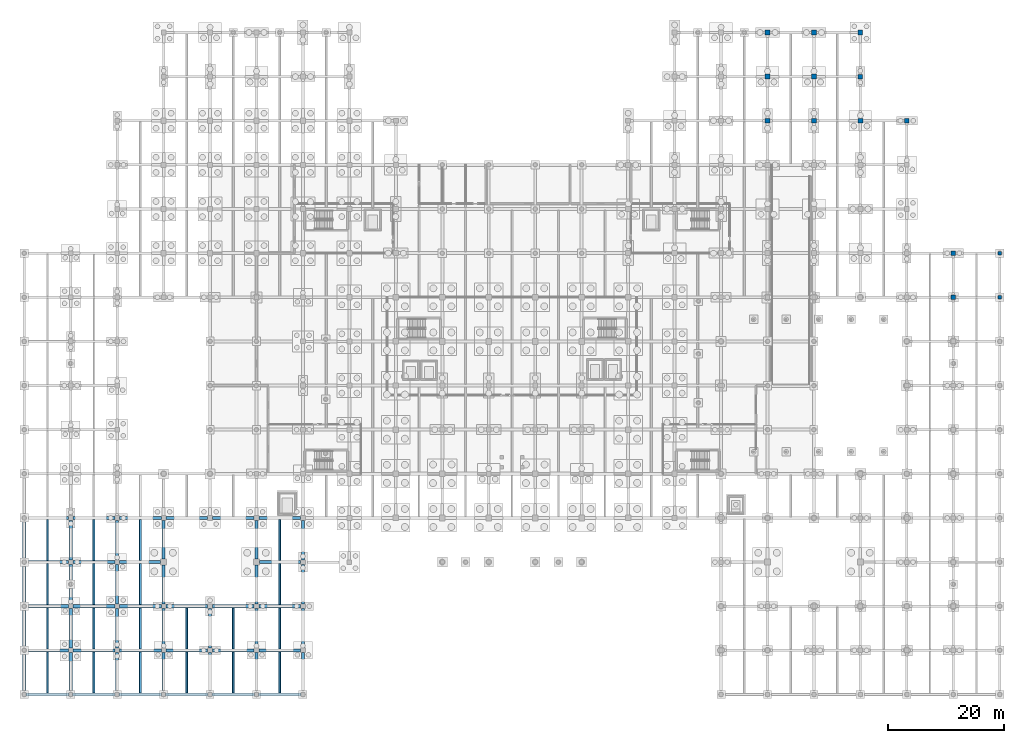
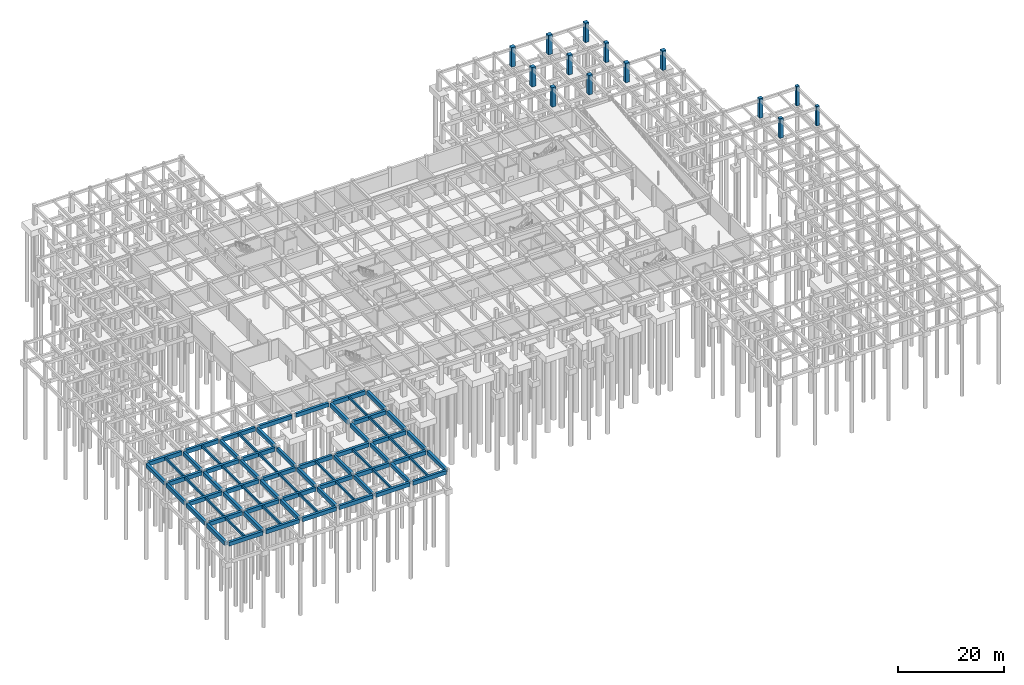
# One storey, part 26 of 49: 74 beams, 14 columns.
"""IFC4 building model written with IfcOpenShell, lengths in metres."""

from ifc_helpers import new_model, si_unit, direction, frame, origin, origin_2d, place, context, subcontext, project, spatial, rectangle, extrude, material, material_profile, profile_set, type_object, element, save


model = new_model("IFC4")

# Units and contexts
model_context = context("Model", 3, precision=1e-05, world=origin(), true_north=direction((0.0, 1.0)))
body_context = subcontext(model_context, "Body", "Model", "MODEL_VIEW")
ifc_project = project(units=[si_unit("LENGTHUNIT", "METRE"), si_unit("AREAUNIT", "SQUARE_METRE"), si_unit("VOLUMEUNIT", "CUBIC_METRE"), si_unit("PLANEANGLEUNIT", "RADIAN"), si_unit("MASSUNIT", "GRAM", prefix="KILO")], contexts=[model_context])

# Site, building, storey
site_placement = place(None, origin())
site = spatial("IfcSite", under=ifc_project, at=site_placement, CompositionType="ELEMENT")
building_placement = place(site_placement, origin())
building = spatial("IfcBuilding", under=site, at=building_placement, Name="Zantavel Square City Hall", CompositionType="ELEMENT")
storey_placement = place(building_placement, frame((0.0, 0.0, -4.5)))
storey = spatial("IfcBuildingStorey", under=building, at=storey_placement, Name="B1", CompositionType="ELEMENT", Elevation=-4.5)

# Columns
ifc_material = material(Name="Concrete C40/50", Category="concrete")
ifc_material_profile_1 = material_profile(ifc_material, rectangle(XDim=0.64990234375, YDim=0.64990234375, at=origin_2d()), Name="RC 650x650")
ifc_profile_set_1 = profile_set([ifc_material_profile_1], Name="Concrete C40/50")
column_type_1 = type_object("IfcColumnType", Name="Column RC 650x650 C40/50", PredefinedType="COLUMN", material=ifc_profile_set_1)
for number, where, z_axis, x_axis, name in (
    (1, (168.0, 68.39990234375, 0.0), (0.0, 0.0, 1.0), (1.0, 0.0, 0.0), "B1 Column COL-B1-1680-0684"),
    (2, (168.0, 76.0, 0.0), (0.0, 0.0, 1.0), (1.0, 0.0, 0.0), "B1 Column COL-B1-1680-0760"),
):
    element("IfcColumn", number, at=place(storey_placement, frame(where, z_axis=z_axis, x_axis=x_axis)), inside=storey, type_object=column_type_1, Name=name, PredefinedType="COLUMN", context=body_context, shape_type="SweptSolid", body=[
        extrude(rectangle(XDim=0.64990234375, YDim=0.64990234375, at=origin_2d()), origin(), (0.0, 0.0, 1.0), 4.5),
    ])
ifc_material_profile_2 = material_profile(ifc_material, rectangle(XDim=0.75, YDim=0.75, at=origin_2d()), Name="RC 750x750")
ifc_profile_set_2 = profile_set([ifc_material_profile_2], Name="Concrete C40/50")
column_type_2 = type_object("IfcColumnType", Name="Column RC 750x750 C40/50", PredefinedType="COLUMN", material=ifc_profile_set_2)
for number, where, z_axis, x_axis, name in (
    (3, (160.0, 68.39990234375, 0.0), (0.0, 0.0, 1.0), (1.0, 0.0, 0.0), "B1 Column COL-B1-1600-0684"),
    (4, (160.0, 76.0, 0.0), (0.0, 0.0, 1.0), (1.0, 0.0, 0.0), "B1 Column COL-B1-1600-0760"),
):
    element("IfcColumn", number, at=place(storey_placement, frame(where, z_axis=z_axis, x_axis=x_axis)), inside=storey, type_object=column_type_2, Name=name, PredefinedType="COLUMN", context=body_context, shape_type="SweptSolid", body=[
        extrude(rectangle(XDim=0.75, YDim=0.75, at=origin_2d()), origin(), (0.0, 0.0, 1.0), 4.5),
    ])
ifc_material_profile_3 = material_profile(ifc_material, rectangle(XDim=0.800048828125, YDim=0.800048828125, at=origin_2d()), Name="RC 800x800")
ifc_profile_set_3 = profile_set([ifc_material_profile_3], Name="Concrete C40/50")
column_type_3 = type_object("IfcColumnType", Name="Column RC 800x800 C40/50", PredefinedType="COLUMN", material=ifc_profile_set_3)
for number, where, z_axis, x_axis, name in (
    (5, (144.0, 106.39990234375, 0.0), (0.0, 0.0, 1.0), (1.0, 0.0, 0.0), "B1 Column COL-B1-1440-1064"),
    (6, (144.0, 114.0, 0.0), (0.0, 0.0, 1.0), (1.0, 0.0, 0.0), "B1 Column COL-B1-1440-1140"),
    (7, (152.0, 98.800048828125, 0.0), (0.0, 0.0, 1.0), (1.0, 0.0, 0.0), "B1 Column COL-B1-1520-0988"),
):
    element("IfcColumn", number, at=place(storey_placement, frame(where, z_axis=z_axis, x_axis=x_axis)), inside=storey, type_object=column_type_3, Name=name, PredefinedType="COLUMN", context=body_context, shape_type="SweptSolid", body=[
        extrude(rectangle(XDim=0.800048828125, YDim=0.800048828125, at=origin_2d()), origin(), (0.0, 0.0, 1.0), 4.5),
    ])
ifc_material_profile_4 = material_profile(ifc_material, rectangle(XDim=0.85009765625, YDim=0.85009765625, at=origin_2d()), Name="RC 850x850")
ifc_profile_set_4 = profile_set([ifc_material_profile_4], Name="Concrete C40/50")
column_type_4 = type_object("IfcColumnType", Name="Column RC 850x850 C40/50", PredefinedType="COLUMN", material=ifc_profile_set_4)
for number, where, z_axis, x_axis, name in (
    (8, (128.0, 98.800048828125, 0.0), (0.0, 0.0, 1.0), (1.0, 0.0, 0.0), "B1 Column COL-B1-1280-0988"),
    (9, (128.0, 106.39990234375, 0.0), (0.0, 0.0, 1.0), (1.0, 0.0, 0.0), "B1 Column COL-B1-1280-1064"),
    (10, (128.0, 114.0, 0.0), (0.0, 0.0, 1.0), (1.0, 0.0, 0.0), "B1 Column COL-B1-1280-1140"),
    (11, (136.0, 98.800048828125, 0.0), (0.0, 0.0, 1.0), (1.0, 0.0, 0.0), "B1 Column COL-B1-1360-0988"),
    (12, (136.0, 106.39990234375, 0.0), (0.0, 0.0, 1.0), (1.0, 0.0, 0.0), "B1 Column COL-B1-1360-1064"),
    (13, (136.0, 114.0, 0.0), (0.0, 0.0, 1.0), (1.0, 0.0, 0.0), "B1 Column COL-B1-1360-1140"),
    (14, (144.0, 98.800048828125, 0.0), (0.0, 0.0, 1.0), (1.0, 0.0, 0.0), "B1 Column COL-B1-1440-0988"),
):
    element("IfcColumn", number, at=place(storey_placement, frame(where, z_axis=z_axis, x_axis=x_axis)), inside=storey, type_object=column_type_4, Name=name, PredefinedType="COLUMN", context=body_context, shape_type="SweptSolid", body=[
        extrude(rectangle(XDim=0.85009765625, YDim=0.85009765625, at=origin_2d()), origin(), (0.0, 0.0, 1.0), 4.5),
    ])

# Beams
ifc_material_profile_5 = material_profile(ifc_material, rectangle(XDim=0.320068359375, YDim=0.52001953125, at=origin_2d()), Name="RC 320x520")
ifc_profile_set_5 = profile_set([ifc_material_profile_5], Name="Concrete C40/50")
beam_type_1 = type_object("IfcBeamType", Name="Archive Floor Joist RC 320x520 C40/50", PredefinedType="JOIST", material=ifc_profile_set_5)
for number, where, z_axis, x_axis, name in (
    (15, (4.0, 0.27490234375, 3.989990234375), (0.0, 1.0, 0.0), (-1.0, 0.0, 0.0), "B1 Floor Joist JST-B1-0040-0000"),
    (16, (4.0, 7.875, 3.989990234375), (0.0, 1.0, 0.0), (-1.0, 0.0, 0.0), "B1 Floor Joist JST-B1-0040-0076"),
):
    element("IfcBeam", number, at=place(storey_placement, frame(where, z_axis=z_axis, x_axis=x_axis)), inside=storey, type_object=beam_type_1, Name=name, PredefinedType="JOIST", context=body_context, shape_type="SweptSolid", body=[
        extrude(rectangle(XDim=0.320068359375, YDim=0.52001953125, at=origin_2d()), origin(), (0.0, 0.0, 1.0), 7.050048828125),
    ])
beam_1_placement = place(storey_placement, frame((4.0, 15.47509765625, 3.989990234375), z_axis=(0.0, 1.0, 0.0), x_axis=(-1.0, 0.0, 0.0)))
element("IfcBeam", 17, at=beam_1_placement, inside=storey, type_object=beam_type_1, Name="B1 Floor Joist JST-B1-0040-0152", PredefinedType="JOIST", context=body_context, shape_type="SweptSolid", body=[
    extrude(rectangle(XDim=0.320068359375, YDim=0.52001953125, at=origin_2d()), origin(), (0.0, 0.0, 1.0), 7.0498046875),
])
for number, where, z_axis, x_axis, name in (
    (18, (4.0, 23.074951171875, 3.989990234375), (0.0, 1.0, 0.0), (-1.0, 0.0, 0.0), "B1 Floor Joist JST-B1-0040-0228"),
    (19, (12.0, 0.27490234375, 3.919921875), (0.0, 1.0, 0.0), (-1.0, 0.0, 0.0), "B1 Floor Joist JST-B1-0120-0000"),
    (20, (12.0, 7.875, 3.919921875), (0.0, 1.0, 0.0), (-1.0, 0.0, 0.0), "B1 Floor Joist JST-B1-0120-0076"),
):
    element("IfcBeam", number, at=place(storey_placement, frame(where, z_axis=z_axis, x_axis=x_axis)), inside=storey, type_object=beam_type_1, Name=name, PredefinedType="JOIST", context=body_context, shape_type="SweptSolid", body=[
        extrude(rectangle(XDim=0.320068359375, YDim=0.52001953125, at=origin_2d()), origin(), (0.0, 0.0, 1.0), 7.050048828125),
    ])
beam_2_placement = place(storey_placement, frame((12.0, 15.47509765625, 3.919921875), z_axis=(0.0, 1.0, 0.0), x_axis=(-1.0, 0.0, 0.0)))
element("IfcBeam", 21, at=beam_2_placement, inside=storey, type_object=beam_type_1, Name="B1 Floor Joist JST-B1-0120-0152", PredefinedType="JOIST", context=body_context, shape_type="SweptSolid", body=[
    extrude(rectangle(XDim=0.320068359375, YDim=0.52001953125, at=origin_2d()), origin(), (0.0, 0.0, 1.0), 7.0498046875),
])
for number, where, z_axis, x_axis, name in (
    (22, (12.0, 23.074951171875, 3.919921875), (0.0, 1.0, 0.0), (-1.0, 0.0, 0.0), "B1 Floor Joist JST-B1-0120-0228"),
    (23, (20.0, 0.27490234375, 3.919921875), (0.0, 1.0, 0.0), (-1.0, 0.0, 0.0), "B1 Floor Joist JST-B1-0200-0000"),
    (24, (20.0, 7.875, 3.919921875), (0.0, 1.0, 0.0), (-1.0, 0.0, 0.0), "B1 Floor Joist JST-B1-0200-0076"),
):
    element("IfcBeam", number, at=place(storey_placement, frame(where, z_axis=z_axis, x_axis=x_axis)), inside=storey, type_object=beam_type_1, Name=name, PredefinedType="JOIST", context=body_context, shape_type="SweptSolid", body=[
        extrude(rectangle(XDim=0.320068359375, YDim=0.52001953125, at=origin_2d()), origin(), (0.0, 0.0, 1.0), 7.050048828125),
    ])
beam_3_placement = place(storey_placement, frame((20.0, 15.47509765625, 3.919921875), z_axis=(0.0, 1.0, 0.0), x_axis=(-1.0, 0.0, 0.0)))
element("IfcBeam", 25, at=beam_3_placement, inside=storey, type_object=beam_type_1, Name="B1 Floor Joist JST-B1-0200-0152", PredefinedType="JOIST", context=body_context, shape_type="SweptSolid", body=[
    extrude(rectangle(XDim=0.320068359375, YDim=0.52001953125, at=origin_2d()), origin(), (0.0, 0.0, 1.0), 7.0498046875),
])
for number, where, z_axis, x_axis, name in (
    (26, (20.0, 23.074951171875, 3.919921875), (0.0, 1.0, 0.0), (-1.0, 0.0, 0.0), "B1 Floor Joist JST-B1-0200-0228"),
    (27, (28.0, 0.27490234375, 3.919921875), (0.0, 1.0, 0.0), (-1.0, 0.0, 0.0), "B1 Floor Joist JST-B1-0280-0000"),
    (28, (28.0, 7.875, 3.919921875), (0.0, 1.0, 0.0), (-1.0, 0.0, 0.0), "B1 Floor Joist JST-B1-0280-0076"),
    (29, (36.0, 0.27490234375, 3.919921875), (0.0, 1.0, 0.0), (-1.0, 0.0, 0.0), "B1 Floor Joist JST-B1-0360-0000"),
    (30, (36.0, 7.875, 3.919921875), (0.0, 1.0, 0.0), (-1.0, 0.0, 0.0), "B1 Floor Joist JST-B1-0360-0076"),
    (31, (44.0, 0.27490234375, 3.919921875), (0.0, 1.0, 0.0), (-1.0, 0.0, 0.0), "B1 Floor Joist JST-B1-0440-0000"),
    (32, (44.0, 7.875, 3.919921875), (0.0, 1.0, 0.0), (-1.0, 0.0, 0.0), "B1 Floor Joist JST-B1-0440-0076"),
):
    element("IfcBeam", number, at=place(storey_placement, frame(where, z_axis=z_axis, x_axis=x_axis)), inside=storey, type_object=beam_type_1, Name=name, PredefinedType="JOIST", context=body_context, shape_type="SweptSolid", body=[
        extrude(rectangle(XDim=0.320068359375, YDim=0.52001953125, at=origin_2d()), origin(), (0.0, 0.0, 1.0), 7.050048828125),
    ])
beam_4_placement = place(storey_placement, frame((44.0, 15.47509765625, 3.919921875), z_axis=(0.0, 1.0, 0.0), x_axis=(-1.0, 0.0, 0.0)))
element("IfcBeam", 33, at=beam_4_placement, inside=storey, type_object=beam_type_1, Name="B1 Floor Joist JST-B1-0440-0152", PredefinedType="JOIST", context=body_context, shape_type="SweptSolid", body=[
    extrude(rectangle(XDim=0.320068359375, YDim=0.52001953125, at=origin_2d()), origin(), (0.0, 0.0, 1.0), 7.0498046875),
])
beam_5_placement = place(storey_placement, frame((44.0, 23.074951171875, 3.919921875), z_axis=(0.0, 1.0, 0.0), x_axis=(-1.0, 0.0, 0.0)))
element("IfcBeam", 34, at=beam_5_placement, inside=storey, type_object=beam_type_1, Name="B1 Floor Joist JST-B1-0440-0228", PredefinedType="JOIST", context=body_context, shape_type="SweptSolid", body=[
    extrude(rectangle(XDim=0.320068359375, YDim=0.52001953125, at=origin_2d()), origin(), (0.0, 0.0, 1.0), 7.050048828125),
])
ifc_material_profile_6 = material_profile(ifc_material, rectangle(XDim=0.550048828125, YDim=0.89990234375, at=origin_2d()), Name="RC 550x900")
ifc_profile_set_6 = profile_set([ifc_material_profile_6], Name="Concrete C40/50")
beam_type_2 = type_object("IfcBeamType", Name="Archive Heavy Girder RC 550x900 C40/50", PredefinedType="BEAM", material=ifc_profile_set_6)
beam_6_placement = place(storey_placement, frame((0.324951171875, 0.0, 3.800048828125), z_axis=(1.0, 0.0, 0.0), x_axis=(0.0, 1.0, 0.0)))
element("IfcBeam", 35, at=beam_6_placement, inside=storey, type_object=beam_type_2, Name="B1 Girder BMX-B1-0000-0000", PredefinedType="BEAM", context=body_context, shape_type="SweptSolid", body=[
    extrude(rectangle(XDim=0.550048828125, YDim=0.89990234375, at=origin_2d()), origin(), (0.0, 0.0, 1.0), 7.35009765625),
])
beam_7_placement = place(storey_placement, frame((0.0, 0.324951171875, 3.800048828125), z_axis=(0.0, 1.0, 0.0), x_axis=(-1.0, 0.0, 0.0)))
element("IfcBeam", 36, at=beam_7_placement, inside=storey, type_object=beam_type_2, Name="B1 Beam BMY-B1-0000-0000", PredefinedType="BEAM", context=body_context, shape_type="SweptSolid", body=[
    extrude(rectangle(XDim=0.550048828125, YDim=0.89990234375, at=origin_2d()), origin(), (0.0, 0.0, 1.0), 6.949951171875),
])
beam_8_placement = place(storey_placement, frame((0.324951171875, 7.60009765625, 3.800048828125), z_axis=(1.0, 0.0, 0.0), x_axis=(0.0, 1.0, 0.0)))
element("IfcBeam", 37, at=beam_8_placement, inside=storey, type_object=beam_type_2, Name="B1 Girder BMX-B1-0000-0076", PredefinedType="BEAM", context=body_context, shape_type="SweptSolid", body=[
    extrude(rectangle(XDim=0.550048828125, YDim=0.89990234375, at=origin_2d()), origin(), (0.0, 0.0, 1.0), 7.275146484375),
])
beam_9_placement = place(storey_placement, frame((0.0, 7.925048828125, 3.800048828125), z_axis=(0.0, 1.0, 0.0), x_axis=(-1.0, 0.0, 0.0)))
element("IfcBeam", 38, at=beam_9_placement, inside=storey, type_object=beam_type_2, Name="B1 Beam BMY-B1-0000-0076", PredefinedType="BEAM", context=body_context, shape_type="SweptSolid", body=[
    extrude(rectangle(XDim=0.550048828125, YDim=0.89990234375, at=origin_2d()), origin(), (0.0, 0.0, 1.0), 6.949951171875),
])
beam_10_placement = place(storey_placement, frame((0.324951171875, 15.199951171875, 3.800048828125), z_axis=(1.0, 0.0, 0.0), x_axis=(0.0, 1.0, 0.0)))
element("IfcBeam", 39, at=beam_10_placement, inside=storey, type_object=beam_type_2, Name="B1 Girder BMX-B1-0000-0152", PredefinedType="BEAM", context=body_context, shape_type="SweptSolid", body=[
    extrude(rectangle(XDim=0.550048828125, YDim=0.89990234375, at=origin_2d()), origin(), (0.0, 0.0, 1.0), 7.275146484375),
])
beam_11_placement = place(storey_placement, frame((0.0, 15.52490234375, 3.800048828125), z_axis=(0.0, 1.0, 0.0), x_axis=(-1.0, 0.0, 0.0)))
element("IfcBeam", 40, at=beam_11_placement, inside=storey, type_object=beam_type_2, Name="B1 Beam BMY-B1-0000-0152", PredefinedType="BEAM", context=body_context, shape_type="SweptSolid", body=[
    extrude(rectangle(XDim=0.550048828125, YDim=0.89990234375, at=origin_2d()), origin(), (0.0, 0.0, 1.0), 6.9501953125),
])
beam_12_placement = place(storey_placement, frame((0.324951171875, 22.800048828125, 3.800048828125), z_axis=(1.0, 0.0, 0.0), x_axis=(0.0, 1.0, 0.0)))
element("IfcBeam", 41, at=beam_12_placement, inside=storey, type_object=beam_type_2, Name="B1 Girder BMX-B1-0000-0228", PredefinedType="BEAM", context=body_context, shape_type="SweptSolid", body=[
    extrude(rectangle(XDim=0.550048828125, YDim=0.89990234375, at=origin_2d()), origin(), (0.0, 0.0, 1.0), 7.275146484375),
])
beam_13_placement = place(storey_placement, frame((0.0, 23.125, 3.800048828125), z_axis=(0.0, 1.0, 0.0), x_axis=(-1.0, 0.0, 0.0)))
element("IfcBeam", 42, at=beam_13_placement, inside=storey, type_object=beam_type_2, Name="B1 Beam BMY-B1-0000-0228", PredefinedType="BEAM", context=body_context, shape_type="SweptSolid", body=[
    extrude(rectangle(XDim=0.550048828125, YDim=0.89990234375, at=origin_2d()), origin(), (0.0, 0.0, 1.0), 6.949951171875),
])
beam_14_placement = place(storey_placement, frame((0.324951171875, 30.39990234375, 3.800048828125), z_axis=(1.0, 0.0, 0.0), x_axis=(0.0, 1.0, 0.0)))
element("IfcBeam", 43, at=beam_14_placement, inside=storey, type_object=beam_type_2, Name="B1 Girder BMX-B1-0000-0304", PredefinedType="BEAM", context=body_context, shape_type="SweptSolid", body=[
    extrude(rectangle(XDim=0.550048828125, YDim=0.89990234375, at=origin_2d()), origin(), (0.0, 0.0, 1.0), 7.275146484375),
])
beam_15_placement = place(storey_placement, frame((8.324951171875, 0.0, 3.800048828125), z_axis=(1.0, 0.0, 0.0), x_axis=(0.0, 1.0, 0.0)))
element("IfcBeam", 44, at=beam_15_placement, inside=storey, type_object=beam_type_2, Name="B1 Girder BMX-B1-0080-0000", PredefinedType="BEAM", context=body_context, shape_type="SweptSolid", body=[
    extrude(rectangle(XDim=0.550048828125, YDim=0.89990234375, at=origin_2d()), origin(), (0.0, 0.0, 1.0), 7.35009765625),
])
beam_16_placement = place(storey_placement, frame((8.0, 0.324951171875, 3.800048828125), z_axis=(0.0, 1.0, 0.0), x_axis=(-1.0, 0.0, 0.0)))
element("IfcBeam", 45, at=beam_16_placement, inside=storey, type_object=beam_type_2, Name="B1 Beam BMY-B1-0080-0000", PredefinedType="BEAM", context=body_context, shape_type="SweptSolid", body=[
    extrude(rectangle(XDim=0.550048828125, YDim=0.89990234375, at=origin_2d()), origin(), (0.0, 0.0, 1.0), 6.875),
])
beam_17_placement = place(storey_placement, frame((8.39990234375, 7.60009765625, 3.72998046875), z_axis=(1.0, 0.0, 0.0), x_axis=(0.0, 1.0, 0.0)))
element("IfcBeam", 46, at=beam_17_placement, inside=storey, type_object=beam_type_2, Name="B1 Girder BMX-B1-0080-0076", PredefinedType="BEAM", context=body_context, shape_type="SweptSolid", body=[
    extrude(rectangle(XDim=0.550048828125, YDim=0.89990234375, at=origin_2d()), origin(), (0.0, 0.0, 1.0), 7.2001953125),
])
beam_18_placement = place(storey_placement, frame((8.0, 8.0, 3.72998046875), z_axis=(0.0, 1.0, 0.0), x_axis=(-1.0, 0.0, 0.0)))
element("IfcBeam", 47, at=beam_18_placement, inside=storey, type_object=beam_type_2, Name="B1 Beam BMY-B1-0080-0076", PredefinedType="BEAM", context=body_context, shape_type="SweptSolid", body=[
    extrude(rectangle(XDim=0.550048828125, YDim=0.89990234375, at=origin_2d()), origin(), (0.0, 0.0, 1.0), 6.800048828125),
])
beam_19_placement = place(storey_placement, frame((8.39990234375, 15.199951171875, 3.72998046875), z_axis=(1.0, 0.0, 0.0), x_axis=(0.0, 1.0, 0.0)))
element("IfcBeam", 48, at=beam_19_placement, inside=storey, type_object=beam_type_2, Name="B1 Girder BMX-B1-0080-0152", PredefinedType="BEAM", context=body_context, shape_type="SweptSolid", body=[
    extrude(rectangle(XDim=0.550048828125, YDim=0.89990234375, at=origin_2d()), origin(), (0.0, 0.0, 1.0), 7.2001953125),
])
beam_20_placement = place(storey_placement, frame((8.0, 15.60009765625, 3.72998046875), z_axis=(0.0, 1.0, 0.0), x_axis=(-1.0, 0.0, 0.0)))
element("IfcBeam", 49, at=beam_20_placement, inside=storey, type_object=beam_type_2, Name="B1 Beam BMY-B1-0080-0152", PredefinedType="BEAM", context=body_context, shape_type="SweptSolid", body=[
    extrude(rectangle(XDim=0.550048828125, YDim=0.89990234375, at=origin_2d()), origin(), (0.0, 0.0, 1.0), 6.7998046875),
])
beam_21_placement = place(storey_placement, frame((8.39990234375, 22.800048828125, 3.72998046875), z_axis=(1.0, 0.0, 0.0), x_axis=(0.0, 1.0, 0.0)))
element("IfcBeam", 50, at=beam_21_placement, inside=storey, type_object=beam_type_2, Name="B1 Girder BMX-B1-0080-0228", PredefinedType="BEAM", context=body_context, shape_type="SweptSolid", body=[
    extrude(rectangle(XDim=0.550048828125, YDim=0.89990234375, at=origin_2d()), origin(), (0.0, 0.0, 1.0), 7.2001953125),
])
beam_22_placement = place(storey_placement, frame((8.0, 23.199951171875, 3.72998046875), z_axis=(0.0, 1.0, 0.0), x_axis=(-1.0, 0.0, 0.0)))
element("IfcBeam", 51, at=beam_22_placement, inside=storey, type_object=beam_type_2, Name="B1 Beam BMY-B1-0080-0228", PredefinedType="BEAM", context=body_context, shape_type="SweptSolid", body=[
    extrude(rectangle(XDim=0.550048828125, YDim=0.89990234375, at=origin_2d()), origin(), (0.0, 0.0, 1.0), 6.800048828125),
])
beam_23_placement = place(storey_placement, frame((8.39990234375, 30.39990234375, 3.72998046875), z_axis=(1.0, 0.0, 0.0), x_axis=(0.0, 1.0, 0.0)))
element("IfcBeam", 52, at=beam_23_placement, inside=storey, type_object=beam_type_2, Name="B1 Girder BMX-B1-0080-0304", PredefinedType="BEAM", context=body_context, shape_type="SweptSolid", body=[
    extrude(rectangle(XDim=0.550048828125, YDim=0.89990234375, at=origin_2d()), origin(), (0.0, 0.0, 1.0), 7.2001953125),
])
beam_24_placement = place(storey_placement, frame((16.324951171875, 0.0, 3.800048828125), z_axis=(1.0, 0.0, 0.0), x_axis=(0.0, 1.0, 0.0)))
element("IfcBeam", 53, at=beam_24_placement, inside=storey, type_object=beam_type_2, Name="B1 Girder BMX-B1-0160-0000", PredefinedType="BEAM", context=body_context, shape_type="SweptSolid", body=[
    extrude(rectangle(XDim=0.550048828125, YDim=0.89990234375, at=origin_2d()), origin(), (0.0, 0.0, 1.0), 7.35009765625),
])
beam_25_placement = place(storey_placement, frame((16.0, 0.324951171875, 3.800048828125), z_axis=(0.0, 1.0, 0.0), x_axis=(-1.0, 0.0, 0.0)))
element("IfcBeam", 54, at=beam_25_placement, inside=storey, type_object=beam_type_2, Name="B1 Beam BMY-B1-0160-0000", PredefinedType="BEAM", context=body_context, shape_type="SweptSolid", body=[
    extrude(rectangle(XDim=0.550048828125, YDim=0.89990234375, at=origin_2d()), origin(), (0.0, 0.0, 1.0), 6.875),
])
beam_26_placement = place(storey_placement, frame((16.39990234375, 7.60009765625, 3.72998046875), z_axis=(1.0, 0.0, 0.0), x_axis=(0.0, 1.0, 0.0)))
element("IfcBeam", 55, at=beam_26_placement, inside=storey, type_object=beam_type_2, Name="B1 Girder BMX-B1-0160-0076", PredefinedType="BEAM", context=body_context, shape_type="SweptSolid", body=[
    extrude(rectangle(XDim=0.550048828125, YDim=0.89990234375, at=origin_2d()), origin(), (0.0, 0.0, 1.0), 7.2001953125),
])
beam_27_placement = place(storey_placement, frame((16.0, 8.0, 3.72998046875), z_axis=(0.0, 1.0, 0.0), x_axis=(-1.0, 0.0, 0.0)))
element("IfcBeam", 56, at=beam_27_placement, inside=storey, type_object=beam_type_2, Name="B1 Beam BMY-B1-0160-0076", PredefinedType="BEAM", context=body_context, shape_type="SweptSolid", body=[
    extrude(rectangle(XDim=0.550048828125, YDim=0.89990234375, at=origin_2d()), origin(), (0.0, 0.0, 1.0), 6.800048828125),
])
beam_28_placement = place(storey_placement, frame((16.39990234375, 15.199951171875, 3.72998046875), z_axis=(1.0, 0.0, 0.0), x_axis=(0.0, 1.0, 0.0)))
element("IfcBeam", 57, at=beam_28_placement, inside=storey, type_object=beam_type_2, Name="B1 Girder BMX-B1-0160-0152", PredefinedType="BEAM", context=body_context, shape_type="SweptSolid", body=[
    extrude(rectangle(XDim=0.550048828125, YDim=0.89990234375, at=origin_2d()), origin(), (0.0, 0.0, 1.0), 7.2001953125),
])
beam_29_placement = place(storey_placement, frame((16.0, 15.60009765625, 3.72998046875), z_axis=(0.0, 1.0, 0.0), x_axis=(-1.0, 0.0, 0.0)))
element("IfcBeam", 58, at=beam_29_placement, inside=storey, type_object=beam_type_2, Name="B1 Beam BMY-B1-0160-0152", PredefinedType="BEAM", context=body_context, shape_type="SweptSolid", body=[
    extrude(rectangle(XDim=0.550048828125, YDim=0.89990234375, at=origin_2d()), origin(), (0.0, 0.0, 1.0), 6.7998046875),
])
beam_30_placement = place(storey_placement, frame((16.39990234375, 22.800048828125, 3.72998046875), z_axis=(1.0, 0.0, 0.0), x_axis=(0.0, 1.0, 0.0)))
element("IfcBeam", 59, at=beam_30_placement, inside=storey, type_object=beam_type_2, Name="B1 Girder BMX-B1-0160-0228", PredefinedType="BEAM", context=body_context, shape_type="SweptSolid", body=[
    extrude(rectangle(XDim=0.550048828125, YDim=0.89990234375, at=origin_2d()), origin(), (0.0, 0.0, 1.0), 7.10009765625),
])
beam_31_placement = place(storey_placement, frame((16.0, 23.199951171875, 3.72998046875), z_axis=(0.0, 1.0, 0.0), x_axis=(-1.0, 0.0, 0.0)))
element("IfcBeam", 60, at=beam_31_placement, inside=storey, type_object=beam_type_2, Name="B1 Beam BMY-B1-0160-0228", PredefinedType="BEAM", context=body_context, shape_type="SweptSolid", body=[
    extrude(rectangle(XDim=0.550048828125, YDim=0.89990234375, at=origin_2d()), origin(), (0.0, 0.0, 1.0), 6.800048828125),
])
beam_32_placement = place(storey_placement, frame((16.39990234375, 30.39990234375, 3.72998046875), z_axis=(1.0, 0.0, 0.0), x_axis=(0.0, 1.0, 0.0)))
element("IfcBeam", 61, at=beam_32_placement, inside=storey, type_object=beam_type_2, Name="B1 Girder BMX-B1-0160-0304", PredefinedType="BEAM", context=body_context, shape_type="SweptSolid", body=[
    extrude(rectangle(XDim=0.550048828125, YDim=0.89990234375, at=origin_2d()), origin(), (0.0, 0.0, 1.0), 7.2001953125),
])
beam_33_placement = place(storey_placement, frame((24.324951171875, 0.0, 3.800048828125), z_axis=(1.0, 0.0, 0.0), x_axis=(0.0, 1.0, 0.0)))
element("IfcBeam", 62, at=beam_33_placement, inside=storey, type_object=beam_type_2, Name="B1 Girder BMX-B1-0240-0000", PredefinedType="BEAM", context=body_context, shape_type="SweptSolid", body=[
    extrude(rectangle(XDim=0.550048828125, YDim=0.89990234375, at=origin_2d()), origin(), (0.0, 0.0, 1.0), 7.35009765625),
])
beam_34_placement = place(storey_placement, frame((24.0, 0.324951171875, 3.800048828125), z_axis=(0.0, 1.0, 0.0), x_axis=(-1.0, 0.0, 0.0)))
element("IfcBeam", 63, at=beam_34_placement, inside=storey, type_object=beam_type_2, Name="B1 Beam BMY-B1-0240-0000", PredefinedType="BEAM", context=body_context, shape_type="SweptSolid", body=[
    extrude(rectangle(XDim=0.550048828125, YDim=0.89990234375, at=origin_2d()), origin(), (0.0, 0.0, 1.0), 6.875),
])
beam_35_placement = place(storey_placement, frame((24.39990234375, 7.60009765625, 3.72998046875), z_axis=(1.0, 0.0, 0.0), x_axis=(0.0, 1.0, 0.0)))
element("IfcBeam", 64, at=beam_35_placement, inside=storey, type_object=beam_type_2, Name="B1 Girder BMX-B1-0240-0076", PredefinedType="BEAM", context=body_context, shape_type="SweptSolid", body=[
    extrude(rectangle(XDim=0.550048828125, YDim=0.89990234375, at=origin_2d()), origin(), (0.0, 0.0, 1.0), 7.2001953125),
])
beam_36_placement = place(storey_placement, frame((24.0, 8.0, 3.72998046875), z_axis=(0.0, 1.0, 0.0), x_axis=(-1.0, 0.0, 0.0)))
element("IfcBeam", 65, at=beam_36_placement, inside=storey, type_object=beam_type_2, Name="B1 Beam BMY-B1-0240-0076", PredefinedType="BEAM", context=body_context, shape_type="SweptSolid", body=[
    extrude(rectangle(XDim=0.550048828125, YDim=0.89990234375, at=origin_2d()), origin(), (0.0, 0.0, 1.0), 6.800048828125),
])
beam_37_placement = place(storey_placement, frame((24.39990234375, 15.199951171875, 3.72998046875), z_axis=(1.0, 0.0, 0.0), x_axis=(0.0, 1.0, 0.0)))
element("IfcBeam", 66, at=beam_37_placement, inside=storey, type_object=beam_type_2, Name="B1 Girder BMX-B1-0240-0152", PredefinedType="BEAM", context=body_context, shape_type="SweptSolid", body=[
    extrude(rectangle(XDim=0.550048828125, YDim=0.89990234375, at=origin_2d()), origin(), (0.0, 0.0, 1.0), 7.2001953125),
])
for number, where, z_axis, x_axis, name in (
    (67, (24.0, 15.60009765625, 3.72998046875), (0.0, 1.0, 0.0), (-1.0, 0.0, 0.0), "B1 Beam BMY-B1-0240-0152"),
    (68, (24.0, 23.300048828125, 3.72998046875), (0.0, 1.0, 0.0), (-1.0, 0.0, 0.0), "B1 Beam BMY-B1-0240-0228"),
):
    element("IfcBeam", number, at=place(storey_placement, frame(where, z_axis=z_axis, x_axis=x_axis)), inside=storey, type_object=beam_type_2, Name=name, PredefinedType="BEAM", context=body_context, shape_type="SweptSolid", body=[
        extrude(rectangle(XDim=0.550048828125, YDim=0.89990234375, at=origin_2d()), origin(), (0.0, 0.0, 1.0), 6.699951171875),
    ])
beam_38_placement = place(storey_placement, frame((24.39990234375, 30.39990234375, 3.72998046875), z_axis=(1.0, 0.0, 0.0), x_axis=(0.0, 1.0, 0.0)))
element("IfcBeam", 69, at=beam_38_placement, inside=storey, type_object=beam_type_2, Name="B1 Girder BMX-B1-0240-0304", PredefinedType="BEAM", context=body_context, shape_type="SweptSolid", body=[
    extrude(rectangle(XDim=0.550048828125, YDim=0.89990234375, at=origin_2d()), origin(), (0.0, 0.0, 1.0), 7.2001953125),
])
beam_39_placement = place(storey_placement, frame((32.324951171875, 0.0, 3.800048828125), z_axis=(1.0, 0.0, 0.0), x_axis=(0.0, 1.0, 0.0)))
element("IfcBeam", 70, at=beam_39_placement, inside=storey, type_object=beam_type_2, Name="B1 Girder BMX-B1-0320-0000", PredefinedType="BEAM", context=body_context, shape_type="SweptSolid", body=[
    extrude(rectangle(XDim=0.550048828125, YDim=0.89990234375, at=origin_2d()), origin(), (0.0, 0.0, 1.0), 7.35009765625),
])
beam_40_placement = place(storey_placement, frame((32.0, 0.324951171875, 3.800048828125), z_axis=(0.0, 1.0, 0.0), x_axis=(-1.0, 0.0, 0.0)))
element("IfcBeam", 71, at=beam_40_placement, inside=storey, type_object=beam_type_2, Name="B1 Beam BMY-B1-0320-0000", PredefinedType="BEAM", context=body_context, shape_type="SweptSolid", body=[
    extrude(rectangle(XDim=0.550048828125, YDim=0.89990234375, at=origin_2d()), origin(), (0.0, 0.0, 1.0), 6.875),
])
beam_41_placement = place(storey_placement, frame((32.39990234375, 7.60009765625, 3.72998046875), z_axis=(1.0, 0.0, 0.0), x_axis=(0.0, 1.0, 0.0)))
element("IfcBeam", 72, at=beam_41_placement, inside=storey, type_object=beam_type_2, Name="B1 Girder BMX-B1-0320-0076", PredefinedType="BEAM", context=body_context, shape_type="SweptSolid", body=[
    extrude(rectangle(XDim=0.550048828125, YDim=0.89990234375, at=origin_2d()), origin(), (0.0, 0.0, 1.0), 7.2001953125),
])
beam_42_placement = place(storey_placement, frame((32.0, 8.0, 3.72998046875), z_axis=(0.0, 1.0, 0.0), x_axis=(-1.0, 0.0, 0.0)))
element("IfcBeam", 73, at=beam_42_placement, inside=storey, type_object=beam_type_2, Name="B1 Beam BMY-B1-0320-0076", PredefinedType="BEAM", context=body_context, shape_type="SweptSolid", body=[
    extrude(rectangle(XDim=0.550048828125, YDim=0.89990234375, at=origin_2d()), origin(), (0.0, 0.0, 1.0), 6.800048828125),
])
for number, where, z_axis, x_axis, name in (
    (74, (32.39990234375, 15.199951171875, 3.72998046875), (1.0, 0.0, 0.0), (0.0, 1.0, 0.0), "B1 Girder BMX-B1-0320-0152"),
    (75, (32.39990234375, 30.39990234375, 3.72998046875), (1.0, 0.0, 0.0), (0.0, 1.0, 0.0), "B1 Girder BMX-B1-0320-0304"),
):
    element("IfcBeam", number, at=place(storey_placement, frame(where, z_axis=z_axis, x_axis=x_axis)), inside=storey, type_object=beam_type_2, Name=name, PredefinedType="BEAM", context=body_context, shape_type="SweptSolid", body=[
        extrude(rectangle(XDim=0.550048828125, YDim=0.89990234375, at=origin_2d()), origin(), (0.0, 0.0, 1.0), 7.2001953125),
    ])
beam_43_placement = place(storey_placement, frame((40.324951171875, 0.0, 3.800048828125), z_axis=(1.0, 0.0, 0.0), x_axis=(0.0, 1.0, 0.0)))
element("IfcBeam", 76, at=beam_43_placement, inside=storey, type_object=beam_type_2, Name="B1 Girder BMX-B1-0400-0000", PredefinedType="BEAM", context=body_context, shape_type="SweptSolid", body=[
    extrude(rectangle(XDim=0.550048828125, YDim=0.89990234375, at=origin_2d()), origin(), (0.0, 0.0, 1.0), 7.35009765625),
])
beam_44_placement = place(storey_placement, frame((40.0, 0.324951171875, 3.800048828125), z_axis=(0.0, 1.0, 0.0), x_axis=(-1.0, 0.0, 0.0)))
element("IfcBeam", 77, at=beam_44_placement, inside=storey, type_object=beam_type_2, Name="B1 Beam BMY-B1-0400-0000", PredefinedType="BEAM", context=body_context, shape_type="SweptSolid", body=[
    extrude(rectangle(XDim=0.550048828125, YDim=0.89990234375, at=origin_2d()), origin(), (0.0, 0.0, 1.0), 6.875),
])
beam_45_placement = place(storey_placement, frame((40.39990234375, 7.60009765625, 3.72998046875), z_axis=(1.0, 0.0, 0.0), x_axis=(0.0, 1.0, 0.0)))
element("IfcBeam", 78, at=beam_45_placement, inside=storey, type_object=beam_type_2, Name="B1 Girder BMX-B1-0400-0076", PredefinedType="BEAM", context=body_context, shape_type="SweptSolid", body=[
    extrude(rectangle(XDim=0.550048828125, YDim=0.89990234375, at=origin_2d()), origin(), (0.0, 0.0, 1.0), 7.2001953125),
])
beam_46_placement = place(storey_placement, frame((40.0, 8.0, 3.72998046875), z_axis=(0.0, 1.0, 0.0), x_axis=(-1.0, 0.0, 0.0)))
element("IfcBeam", 79, at=beam_46_placement, inside=storey, type_object=beam_type_2, Name="B1 Beam BMY-B1-0400-0076", PredefinedType="BEAM", context=body_context, shape_type="SweptSolid", body=[
    extrude(rectangle(XDim=0.550048828125, YDim=0.89990234375, at=origin_2d()), origin(), (0.0, 0.0, 1.0), 6.800048828125),
])
beam_47_placement = place(storey_placement, frame((40.39990234375, 15.199951171875, 3.72998046875), z_axis=(1.0, 0.0, 0.0), x_axis=(0.0, 1.0, 0.0)))
element("IfcBeam", 80, at=beam_47_placement, inside=storey, type_object=beam_type_2, Name="B1 Girder BMX-B1-0400-0152", PredefinedType="BEAM", context=body_context, shape_type="SweptSolid", body=[
    extrude(rectangle(XDim=0.550048828125, YDim=0.89990234375, at=origin_2d()), origin(), (0.0, 0.0, 1.0), 7.2001953125),
])
beam_48_placement = place(storey_placement, frame((40.0, 15.60009765625, 3.72998046875), z_axis=(0.0, 1.0, 0.0), x_axis=(-1.0, 0.0, 0.0)))
element("IfcBeam", 81, at=beam_48_placement, inside=storey, type_object=beam_type_2, Name="B1 Beam BMY-B1-0400-0152", PredefinedType="BEAM", context=body_context, shape_type="SweptSolid", body=[
    extrude(rectangle(XDim=0.550048828125, YDim=0.89990234375, at=origin_2d()), origin(), (0.0, 0.0, 1.0), 6.699951171875),
])
beam_49_placement = place(storey_placement, frame((40.5, 22.800048828125, 3.72998046875), z_axis=(1.0, 0.0, 0.0), x_axis=(0.0, 1.0, 0.0)))
element("IfcBeam", 82, at=beam_49_placement, inside=storey, type_object=beam_type_2, Name="B1 Girder BMX-B1-0400-0228", PredefinedType="BEAM", context=body_context, shape_type="SweptSolid", body=[
    extrude(rectangle(XDim=0.550048828125, YDim=0.89990234375, at=origin_2d()), origin(), (0.0, 0.0, 1.0), 7.10009765625),
])
beam_50_placement = place(storey_placement, frame((40.0, 23.300048828125, 3.72998046875), z_axis=(0.0, 1.0, 0.0), x_axis=(-1.0, 0.0, 0.0)))
element("IfcBeam", 83, at=beam_50_placement, inside=storey, type_object=beam_type_2, Name="B1 Beam BMY-B1-0400-0228", PredefinedType="BEAM", context=body_context, shape_type="SweptSolid", body=[
    extrude(rectangle(XDim=0.550048828125, YDim=0.89990234375, at=origin_2d()), origin(), (0.0, 0.0, 1.0), 6.699951171875),
])
beam_51_placement = place(storey_placement, frame((40.39990234375, 30.39990234375, 3.72998046875), z_axis=(1.0, 0.0, 0.0), x_axis=(0.0, 1.0, 0.0)))
element("IfcBeam", 84, at=beam_51_placement, inside=storey, type_object=beam_type_2, Name="B1 Girder BMX-B1-0400-0304", PredefinedType="BEAM", context=body_context, shape_type="SweptSolid", body=[
    extrude(rectangle(XDim=0.550048828125, YDim=0.89990234375, at=origin_2d()), origin(), (0.0, 0.0, 1.0), 7.2001953125),
])
beam_52_placement = place(storey_placement, frame((48.0, 0.324951171875, 3.800048828125), z_axis=(0.0, 1.0, 0.0), x_axis=(-1.0, 0.0, 0.0)))
element("IfcBeam", 85, at=beam_52_placement, inside=storey, type_object=beam_type_2, Name="B1 Beam BMY-B1-0480-0000", PredefinedType="BEAM", context=body_context, shape_type="SweptSolid", body=[
    extrude(rectangle(XDim=0.550048828125, YDim=0.89990234375, at=origin_2d()), origin(), (0.0, 0.0, 1.0), 6.875),
])
beam_53_placement = place(storey_placement, frame((48.0, 8.0, 3.72998046875), z_axis=(0.0, 1.0, 0.0), x_axis=(-1.0, 0.0, 0.0)))
element("IfcBeam", 86, at=beam_53_placement, inside=storey, type_object=beam_type_2, Name="B1 Beam BMY-B1-0480-0076", PredefinedType="BEAM", context=body_context, shape_type="SweptSolid", body=[
    extrude(rectangle(XDim=0.550048828125, YDim=0.89990234375, at=origin_2d()), origin(), (0.0, 0.0, 1.0), 6.800048828125),
])
beam_54_placement = place(storey_placement, frame((48.0, 15.60009765625, 3.72998046875), z_axis=(0.0, 1.0, 0.0), x_axis=(-1.0, 0.0, 0.0)))
element("IfcBeam", 87, at=beam_54_placement, inside=storey, type_object=beam_type_2, Name="B1 Beam BMY-B1-0480-0152", PredefinedType="BEAM", context=body_context, shape_type="SweptSolid", body=[
    extrude(rectangle(XDim=0.550048828125, YDim=0.89990234375, at=origin_2d()), origin(), (0.0, 0.0, 1.0), 6.7998046875),
])
beam_55_placement = place(storey_placement, frame((48.0, 23.199951171875, 3.72998046875), z_axis=(0.0, 1.0, 0.0), x_axis=(-1.0, 0.0, 0.0)))
element("IfcBeam", 88, at=beam_55_placement, inside=storey, type_object=beam_type_2, Name="B1 Beam BMY-B1-0480-0228", PredefinedType="BEAM", context=body_context, shape_type="SweptSolid", body=[
    extrude(rectangle(XDim=0.550048828125, YDim=0.89990234375, at=origin_2d()), origin(), (0.0, 0.0, 1.0), 6.800048828125),
])

save(model, "model.ifc")
